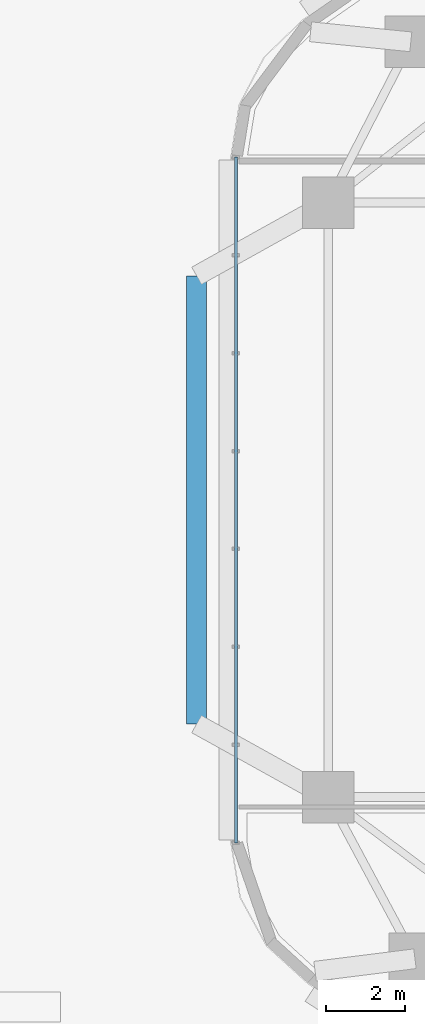
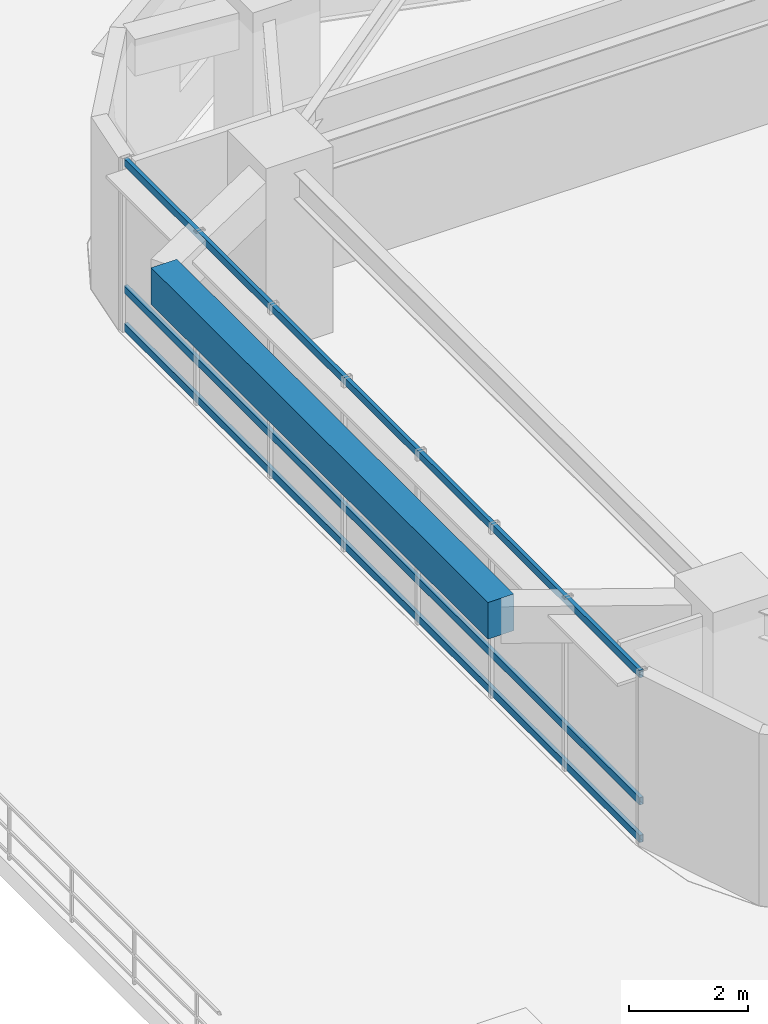
# One storey, part 3 of 20: 3 members, 1 beam, 1 element without a shape of its own.
"""IFC4 building model written with IfcOpenShell, lengths in metres."""

from ifc_helpers import new_model, si_unit, direction, frame, origin, origin_2d, place, context, subcontext, project, spatial, rectangle, hollow_rectangle, extrude, material, material_profile, profile_set, type_object, element, aggregate, save


model = new_model("IFC4")

# Units and contexts
model_context = context("Model", 3, precision=1e-05, world=origin(), true_north=direction((0.0, 1.0)))
body_context = subcontext(model_context, "Body", "Model", "MODEL_VIEW")
ifc_project = project(units=[si_unit("LENGTHUNIT", "METRE"), si_unit("AREAUNIT", "SQUARE_METRE"), si_unit("VOLUMEUNIT", "CUBIC_METRE"), si_unit("PLANEANGLEUNIT", "RADIAN"), si_unit("MASSUNIT", "GRAM", prefix="KILO")], contexts=[model_context])

# Site, building, storey
site_placement = place(None, origin())
site = spatial("IfcSite", under=ifc_project, at=site_placement, CompositionType="ELEMENT")
building_placement = place(site_placement, origin())
building = spatial("IfcBuilding", under=site, at=building_placement, Name="Zulverin Broadcast Headquarters", CompositionType="ELEMENT")
storey_placement = place(building_placement, frame((0.0, 0.0, 25.0)))
storey = spatial("IfcBuildingStorey", under=building, at=storey_placement, Name="L05", CompositionType="ELEMENT", Elevation=25.0)

# Beam
ifc_material_1 = material(Name="Concrete C40/50", Category="concrete")
ifc_material_profile_1 = material_profile(ifc_material_1, rectangle(XDim=0.5, YDim=0.75, at=origin_2d()), Name="Concrete C40/50", Category="concrete")
ifc_profile_set_1 = profile_set([ifc_material_profile_1], Name="Concrete C40/50")
beam_type = type_object("IfcBeamType", Name="BM-RC-500x750", PredefinedType="BEAM", material=ifc_profile_set_1)
beam_placement = place(storey_placement, frame((8.52978515625, 30.449951171875, 3.14990234375), z_axis=(-0.000194304709, -0.999999981123, 0.0), x_axis=(0.999999981123, -0.000194304709, 0.0)))
element("IfcBeam", 1, at=beam_placement, inside=storey, type_object=beam_type, Name="L06 Balcony Outer Edge Trimmer Beam BAL_W", PredefinedType="BEAM", context=body_context, shape_type="SweptSolid", body=[
    extrude(rectangle(XDim=0.5, YDim=0.75, at=origin_2d()), origin(), (0.0, 0.0, 1.0), 11.308349609375),
])

# Curtain wall, members
ifc_material_2 = material(Name="Low-zone ribbon unitised curtain wall", Category="aluminium")
curtain_wall_type = type_object("IfcCurtainWallType", Name="CW-TWR-LOW", PredefinedType="USERDEFINED", material=ifc_material_2)
curtain_wall_placement = place(storey_placement, origin())
curtain_wall = element("IfcCurtainWall", 2, at=curtain_wall_placement, inside=storey, type_object=curtain_wall_type, Name="L05 Unitised Curtain Wall CW-L05-E7", ObjectType="UNITISED CURTAIN WALL", PredefinedType="USERDEFINED")
ifc_material_3 = material(Name="Anodized pale-metal aluminium alloy 6063-T6", Category="aluminium")
ifc_material_profile_2 = material_profile(ifc_material_3, hollow_rectangle(XDim=0.074951171875, YDim=0.14990234375, WallThickness=0.0048828125, at=origin_2d()), Name="Anodized pale-metal aluminium alloy 6063-T6", Category="aluminium")
ifc_profile_set_2 = profile_set([ifc_material_profile_2], Name="Anodized pale-metal aluminium alloy 6063-T6")
member_type = type_object("IfcMemberType", Name="CW-TRN-150", PredefinedType="USERDEFINED", material=ifc_profile_set_2)
member_1_placement = place(storey_placement, frame((9.52001953125, 33.4443359375, 0.074951171875), z_axis=(0.0, -1.0, 0.0), x_axis=(1.0, 0.0, 0.0)))
member_1 = element("IfcMember", 3, at=member_1_placement, type_object=member_type, Name="CW-L05-E7 Transom 0", ObjectType="TRANSOM", PredefinedType="USERDEFINED", context=body_context, shape_type="SweptSolid", body=[
    extrude(hollow_rectangle(XDim=0.074951171875, YDim=0.14990234375, WallThickness=0.0048828125, at=origin_2d()), origin(), (0.0, 0.0, 1.0), 17.30078125),
])
member_2_placement = place(storey_placement, frame((9.52001953125, 33.4443359375, 0.845947265625), z_axis=(0.0, -1.0, 0.0), x_axis=(1.0, 0.0, 0.0)))
member_2 = element("IfcMember", 4, at=member_2_placement, type_object=member_type, Name="CW-L05-E7 Transom 1", ObjectType="TRANSOM", PredefinedType="USERDEFINED", context=body_context, shape_type="SweptSolid", body=[
    extrude(hollow_rectangle(XDim=0.074951171875, YDim=0.14990234375, WallThickness=0.0048828125, at=origin_2d()), origin(), (0.0, 0.0, 1.0), 17.30078125),
])
member_3_placement = place(storey_placement, frame((9.52001953125, 33.4443359375, 3.449951171875), z_axis=(0.0, -1.0, 0.0), x_axis=(1.0, 0.0, 0.0)))
member_3 = element("IfcMember", 5, at=member_3_placement, type_object=member_type, Name="CW-L05-E7 Transom 2", ObjectType="TRANSOM", PredefinedType="USERDEFINED", context=body_context, shape_type="SweptSolid", body=[
    extrude(hollow_rectangle(XDim=0.074951171875, YDim=0.14990234375, WallThickness=0.0048828125, at=origin_2d()), origin(), (0.0, 0.0, 1.0), 17.30078125),
])
aggregate(curtain_wall, [member_1, member_2, member_3])

save(model, "model.ifc")
